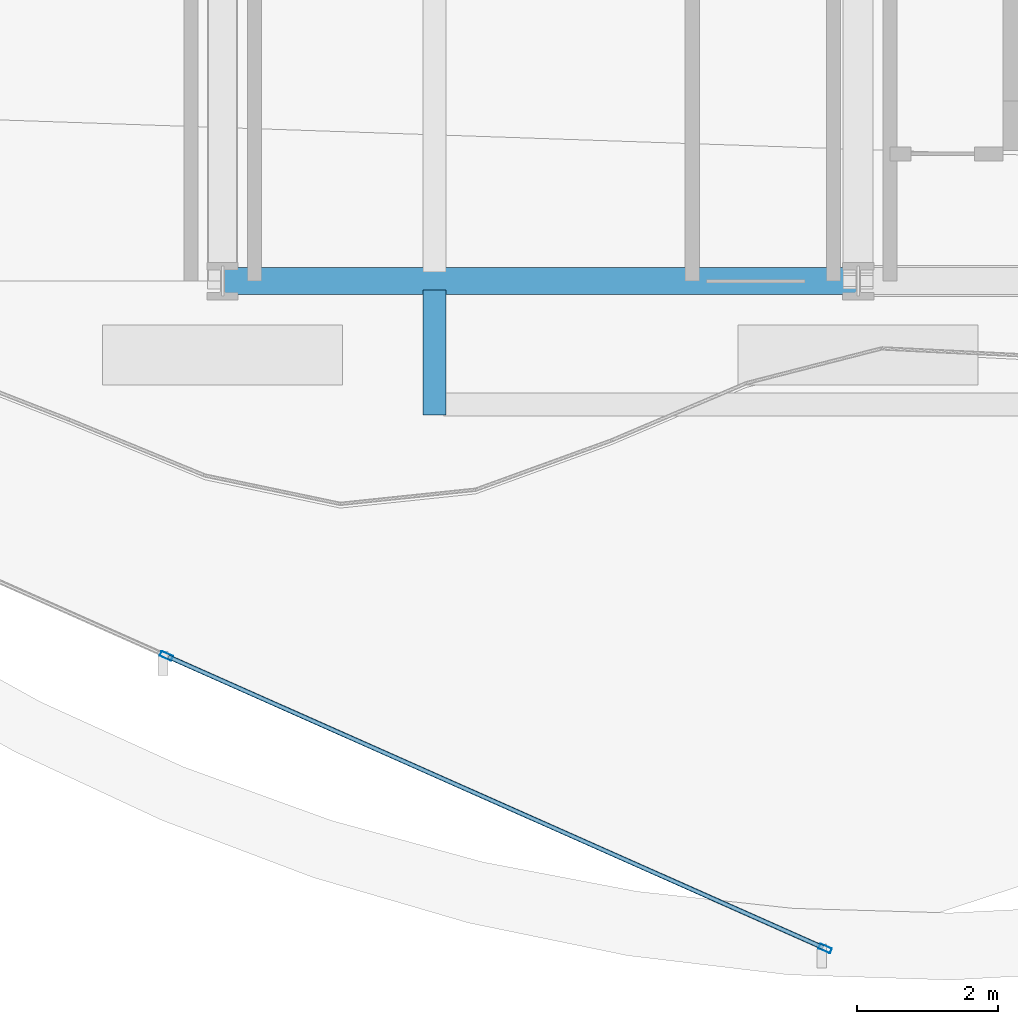
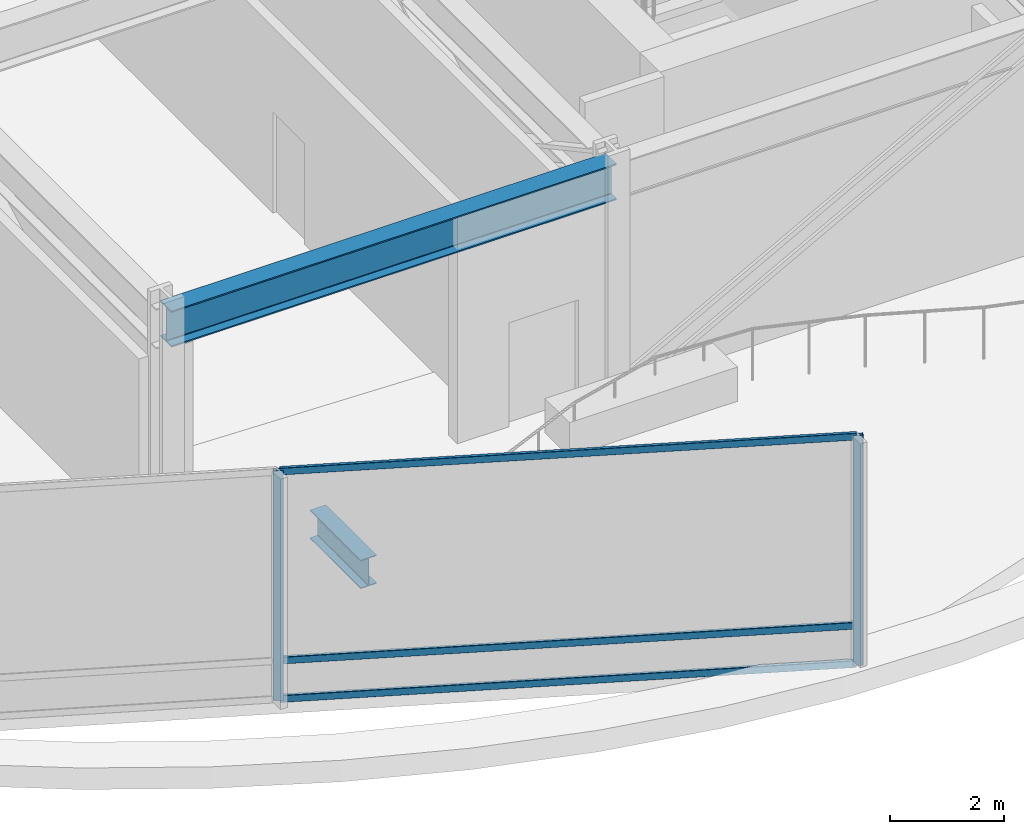
# One storey, part 3 of 37: 5 members, 2 beams, 1 element without a shape of its own.
"""IFC4 building model written with IfcOpenShell, lengths in metres."""

from ifc_helpers import new_model, si_unit, direction, frame, origin, origin_2d, place, context, subcontext, project, spatial, hollow_rectangle, i_section, extrude, material, layer, layer_set, material_profile, profile_set, type_object, element, aggregate, save


model = new_model("IFC4")

# Units and contexts
model_context = context("Model", 3, precision=1e-05, world=origin(), true_north=direction((0.0, 1.0)))
body_context = subcontext(model_context, "Body", "Model", "MODEL_VIEW")
ifc_project = project(units=[si_unit("LENGTHUNIT", "METRE"), si_unit("AREAUNIT", "SQUARE_METRE"), si_unit("VOLUMEUNIT", "CUBIC_METRE"), si_unit("PLANEANGLEUNIT", "RADIAN"), si_unit("MASSUNIT", "GRAM", prefix="KILO")], contexts=[model_context])

# Site, building, storey
site_placement = place(None, origin())
site = spatial("IfcSite", under=ifc_project, at=site_placement, CompositionType="ELEMENT")
building_placement = place(site_placement, origin())
building = spatial("IfcBuilding", under=site, at=building_placement, Name="Solvaryn Broadcast Tower", CompositionType="ELEMENT")
storey_placement = place(building_placement, frame((0.0, 0.0, 30.800048828125)))
storey = spatial("IfcBuildingStorey", under=building, at=storey_placement, Name="L06", CompositionType="ELEMENT", Elevation=30.800048828125)

# Beams
ifc_material_1 = material(Name="Steel ASTM A992 Grade 50", Category="steel")
ifc_material_profile_1 = material_profile(ifc_material_1, i_section(OverallWidth=0.323974609375, OverallDepth=0.611083984375, WebThickness=0.0126953125, FlangeThickness=0.01904296875, FilletRadius=0.014892578125, at=origin_2d()))
ifc_profile_set_1 = profile_set([ifc_material_profile_1], Name="Steel ASTM A992 Grade 50")
beam_type_1 = type_object("IfcBeamType", Name="BM-CANT-TER", PredefinedType="BEAM", material=ifc_profile_set_1)
beam_1_placement = place(storey_placement, frame((21.0, 8.875, -0.66552734375), z_axis=(0.0, -1.0, 0.0), x_axis=(1.0, 0.0, 0.0)))
element("IfcBeam", 1, at=beam_1_placement, inside=storey, type_object=beam_type_1, Name="L06 Terrace Cantilever Beam X21.0", PredefinedType="BEAM", context=body_context, shape_type="SweptSolid", body=[
    extrude(i_section(OverallWidth=0.323974609375, OverallDepth=0.611083984375, WebThickness=0.0126953125, FlangeThickness=0.01904296875, FilletRadius=0.014892578125, at=origin_2d()), origin(), (0.0, 0.0, 1.0), 1.77490234375),
])
ifc_material_2 = material(Name="Steel ASTM A992 Grade 50", Category="steel")
ifc_material_profile_2 = material_profile(ifc_material_2, i_section(OverallWidth=0.381103515625, OverallDepth=0.77294921875, WebThickness=0.0166015625, FlangeThickness=0.027099609375, FilletRadius=0.01806640625, at=origin_2d()))
ifc_profile_set_2 = profile_set([ifc_material_profile_2], Name="Steel ASTM A992 Grade 50")
beam_type_2 = type_object("IfcBeamType", Name="BM-SP1-W30X173", PredefinedType="USERDEFINED", material=ifc_profile_set_2)
beam_2_placement = place(storey_placement, frame((18.0, 9.0, 4.533447265625), z_axis=(1.0, 0.0, 0.0), x_axis=(0.0, 1.0, 0.0)))
element("IfcBeam", 2, at=beam_2_placement, inside=storey, type_object=beam_type_2, Name="L06 Spandrel Beam X (18-27 @ Y=9)", ObjectType="SPANDREL", PredefinedType="USERDEFINED", context=body_context, shape_type="SweptSolid", body=[
    extrude(i_section(OverallWidth=0.381103515625, OverallDepth=0.77294921875, WebThickness=0.0166015625, FlangeThickness=0.027099609375, FilletRadius=0.01806640625, at=origin_2d()), origin(), (0.0, 0.0, 1.0), 9.0),
])

# Curtain wall, members
ifc_material_3 = material(Name="Aluminium and Terracotta Unitised Curtain Wall", Category="masonry")
ifc_layer = layer(ifc_material_3, 0.199951171875)
ifc_layer_set = layer_set([ifc_layer], Name="CW-SYS2-LOWMID")
curtain_wall_type = type_object("IfcCurtainWallType", Name="CW-SYS2-LOWMID", PredefinedType="NOTDEFINED", material=ifc_layer_set)
curtain_wall_placement = place(storey_placement, origin())
curtain_wall = element("IfcCurtainWall", 3, at=curtain_wall_placement, inside=storey, type_object=curtain_wall_type, Name="L06 Curtain Wall DR3", PredefinedType="NOTDEFINED")
ifc_material_4 = material(Name="Anodised Aluminium 6063-T6", Category="aluminium")
ifc_material_profile_3 = material_profile(ifc_material_4, hollow_rectangle(XDim=0.074951171875, YDim=0.179931640625, WallThickness=0.00390625, InnerFilletRadius=0.00390625, OuterFilletRadius=0.008056640625, at=origin_2d()))
ifc_profile_set_3 = profile_set([ifc_material_profile_3], Name="Anodised Aluminium 6063-T6")
member_type_1 = type_object("IfcMemberType", Name="CW-MUL-180", PredefinedType="MULLION", material=ifc_profile_set_3)
member_1_placement = place(storey_placement, frame((17.20361328125, 3.69140625, 0.0), z_axis=(0.0, 0.0, 1.0), x_axis=(0.405898286554, 0.913918257271, 0.0)))
member_1 = element("IfcMember", 4, at=member_1_placement, type_object=member_type_1, Name="CWS2 mullion 2", PredefinedType="MULLION", context=body_context, shape_type="SweptSolid", body=[
    extrude(hollow_rectangle(XDim=0.074951171875, YDim=0.179931640625, WallThickness=0.00390625, InnerFilletRadius=0.00390625, OuterFilletRadius=0.008056640625, at=origin_2d()), origin(), (0.0, 0.0, 1.0), 4.919921875),
])
member_2_placement = place(storey_placement, frame((26.532470703125, -0.451904296875, 0.0), z_axis=(0.0, 0.0, 1.0), x_axis=(0.405898286554, 0.913918257271, 0.0)))
member_2 = element("IfcMember", 5, at=member_2_placement, type_object=member_type_1, Name="CWS2 mullion 3", PredefinedType="MULLION", context=body_context, shape_type="SweptSolid", body=[
    extrude(hollow_rectangle(XDim=0.074951171875, YDim=0.179931640625, WallThickness=0.00390625, InnerFilletRadius=0.00390625, OuterFilletRadius=0.008056640625, at=origin_2d()), origin(), (0.0, 0.0, 1.0), 4.919921875),
])
ifc_material_5 = material(Name="Anodised Aluminium 6063-T6", Category="aluminium")
ifc_material_profile_4 = material_profile(ifc_material_5, hollow_rectangle(XDim=0.06494140625, YDim=0.14990234375, WallThickness=0.00390625, InnerFilletRadius=0.00390625, OuterFilletRadius=0.008056640625, at=origin_2d()))
ifc_profile_set_4 = profile_set([ifc_material_profile_4], Name="Anodised Aluminium 6063-T6")
member_type_2 = type_object("IfcMemberType", Name="CW-TRN-150", PredefinedType="USERDEFINED", material=ifc_profile_set_4)
member_3_placement = place(storey_placement, frame((17.23095703125, 3.679443359375, 0.030029296875), z_axis=(0.913910731719, -0.40591523062, 0.0), x_axis=(0.40591523062, 0.913910731719, 0.0)))
member_3 = element("IfcMember", 6, at=member_3_placement, type_object=member_type_2, Name="CWS2 transom 2.1", ObjectType="TRANSOM", PredefinedType="USERDEFINED", context=body_context, shape_type="SweptSolid", body=[
    extrude(hollow_rectangle(XDim=0.06494140625, YDim=0.14990234375, WallThickness=0.00390625, InnerFilletRadius=0.00390625, OuterFilletRadius=0.008056640625, at=origin_2d()), origin(), (0.0, 0.0, 1.0), 10.147705078125),
])
member_4_placement = place(storey_placement, frame((17.23095703125, 3.679443359375, 0.849853515625), z_axis=(0.913910731719, -0.40591523062, 0.0), x_axis=(0.40591523062, 0.913910731719, 0.0)))
member_4 = element("IfcMember", 7, at=member_4_placement, type_object=member_type_2, Name="CWS2 transom 2.2", ObjectType="TRANSOM", PredefinedType="USERDEFINED", context=body_context, shape_type="SweptSolid", body=[
    extrude(hollow_rectangle(XDim=0.06494140625, YDim=0.14990234375, WallThickness=0.00390625, InnerFilletRadius=0.00390625, OuterFilletRadius=0.008056640625, at=origin_2d()), origin(), (0.0, 0.0, 1.0), 10.147705078125),
])
member_5_placement = place(storey_placement, frame((17.23095703125, 3.679443359375, 4.889892578125), z_axis=(0.913910731719, -0.40591523062, 0.0), x_axis=(0.40591523062, 0.913910731719, 0.0)))
member_5 = element("IfcMember", 8, at=member_5_placement, type_object=member_type_2, Name="CWS2 transom 2.3", ObjectType="TRANSOM", PredefinedType="USERDEFINED", context=body_context, shape_type="SweptSolid", body=[
    extrude(hollow_rectangle(XDim=0.06494140625, YDim=0.14990234375, WallThickness=0.00390625, InnerFilletRadius=0.00390625, OuterFilletRadius=0.008056640625, at=origin_2d()), origin(), (0.0, 0.0, 1.0), 10.147705078125),
])
aggregate(curtain_wall, [member_1, member_2, member_3, member_4, member_5])

save(model, "model.ifc")
